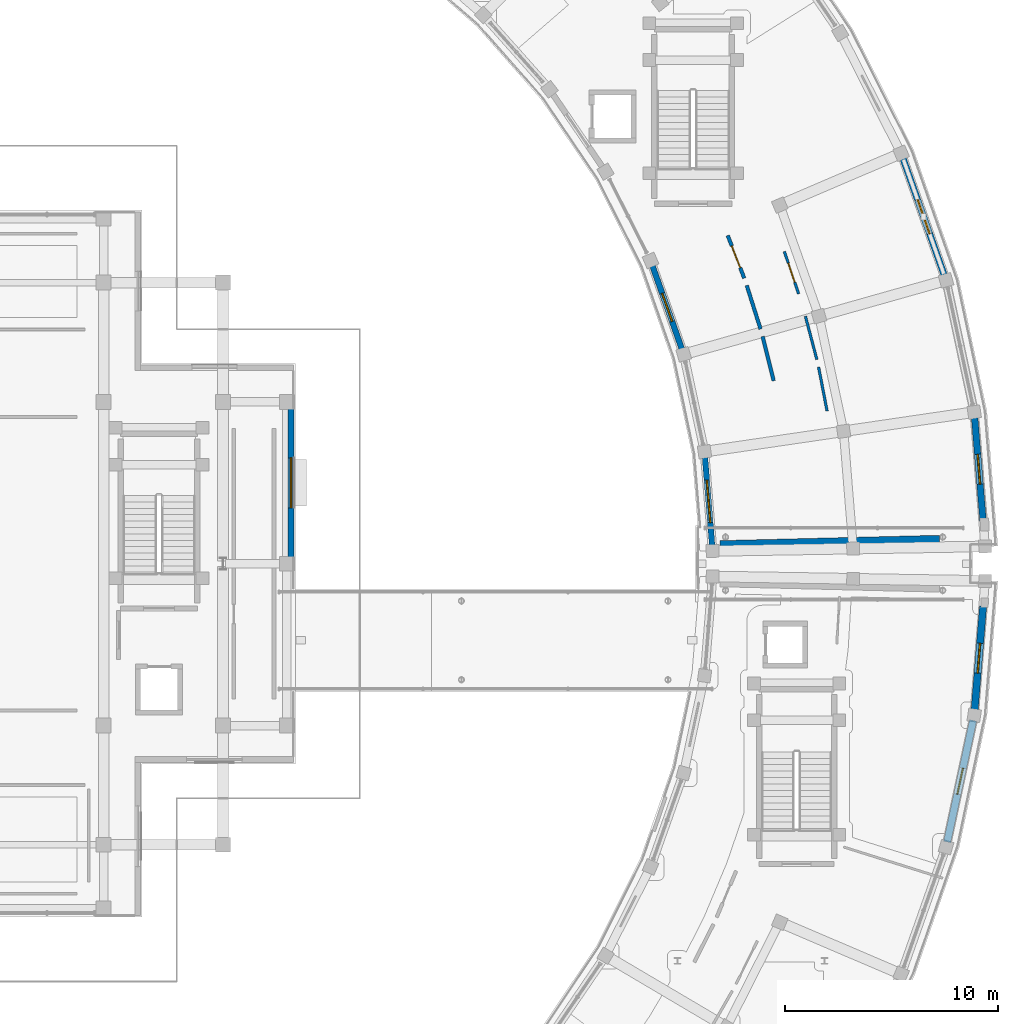
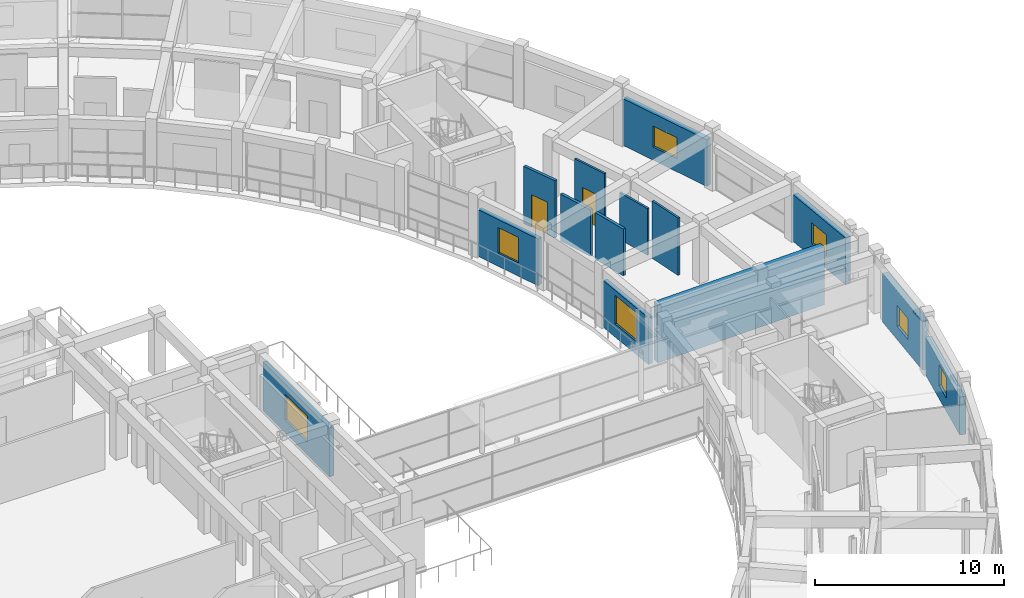
# One storey, part 37 of 53: 14 walls, 7 windows, 2 doors, 9 openings.
"""IFC4 building model written with IfcOpenShell, lengths in metres."""

from ifc_helpers import new_model, si_unit, direction, frame, frame_2d, origin, place, context, subcontext, project, spatial, rectangle, extrude, material, layer, layer_set, type_object, element, fill, save


model = new_model("IFC4")

# Units and contexts
model_context = context("Model", 3, precision=1e-05, world=origin(), true_north=direction((0.0, 1.0)))
body_context = subcontext(model_context, "Body", "Model", "MODEL_VIEW")
ifc_project = project(units=[si_unit("LENGTHUNIT", "METRE"), si_unit("AREAUNIT", "SQUARE_METRE"), si_unit("VOLUMEUNIT", "CUBIC_METRE"), si_unit("PLANEANGLEUNIT", "RADIAN"), si_unit("MASSUNIT", "GRAM", prefix="KILO")], contexts=[model_context])

# Site, building, storey
site_placement = place(None, origin())
site = spatial("IfcSite", under=ifc_project, at=site_placement, CompositionType="ELEMENT")
building_placement = place(site_placement, origin())
building = spatial("IfcBuilding", under=site, at=building_placement, Name="Saryqyr Civic Hall", CompositionType="ELEMENT")
storey_placement = place(building_placement, frame((0.0, 0.0, 21.300048828125)))
storey = spatial("IfcBuildingStorey", under=building, at=storey_placement, Name="L05", CompositionType="ELEMENT", Elevation=21.300048828125)

# Wall, opening, window
ifc_material_1 = material(Name="Precast concrete C40/50", Category="concrete")
ifc_layer_1 = layer(ifc_material_1, 0.27001953125, Name="Precast concrete C40/50")
ifc_layer_set_1 = layer_set([ifc_layer_1], Name="Precast concrete C40/50")
wall_type_1 = type_object("IfcWallType", Name="ENV-WAL-EXT-270", PredefinedType="STANDARD", material=ifc_layer_set_1)
wall_1_placement = place(storey_placement, frame((93.17578125, 84.835205078125, 0.0), z_axis=(0.0, 0.0, 1.0), x_axis=(-0.081074723481, 0.99670802606, 0.0)))
wall_1 = element("IfcWall", 1, at=wall_1_placement, inside=storey, type_object=wall_type_1, Name="Exterior wall V6-EWI-L05-00", PredefinedType="STANDARD", context=body_context, shape_type="SweptSolid", body=[
    extrude(rectangle(XDim=4.203857421875, YDim=0.27001953125, at=frame_2d((2.10205078125, 0.0))), origin(), (0.0, 0.0, 1.0), 3.014892578125),
])
opening_1_placement = place(wall_1_placement, frame((1.10205078125, 0.0, 0.85009765625)))
opening_1 = element("IfcOpeningElement", 2, at=opening_1_placement, cuts=wall_1, Name="Opening W-28", PredefinedType="OPENING", context=body_context, shape_type="SweptSolid", body=[
    extrude(rectangle(XDim=2.0, YDim=1.85009765625, at=frame_2d((1.0, 0.925048828125))), frame((0.0, 0.14501953125, 0.0), z_axis=(0.0, -1.0, 0.0), x_axis=(1.0, 0.0, 0.0)), (0.0, 0.0, 1.0), 0.2900390625),
])
ifc_material_2 = material(Name="Anodised aluminium and triple low-E glass", Category="aluminium")
window_type_1 = type_object("IfcWindowType", Name="ENV-WIN-W28", PartitioningType="SINGLE_PANEL", PredefinedType="WINDOW", material=ifc_material_2)
window_1_placement = place(opening_1_placement, origin())
window_1 = element("IfcWindow", 3, at=window_1_placement, inside=storey, type_object=window_type_1, Name="Courtyard window V6-L05-00", OverallHeight=1.85009765625, OverallWidth=2.0, PartitioningType="SINGLE_PANEL", PredefinedType="WINDOW", context=body_context, shape_type="SweptSolid", body=[
    extrude(rectangle(XDim=2.0, YDim=1.85009765625, at=frame_2d((1.0, 0.925048828125))), frame((0.0, 0.030029296875, 0.0), z_axis=(0.0, -1.0, 0.0), x_axis=(1.0, 0.0, 0.0)), (0.0, 0.0, 1.0), 0.06005859375),
])
fill(opening_1, window_1)

wall_2_placement = place(storey_placement, frame((91.756103515625, 94.067138671875, 0.0), z_axis=(0.0, 0.0, 1.0), x_axis=(-0.333168640656, 0.942867253055, 0.0)))
wall_2 = element("IfcWall", 4, at=wall_2_placement, inside=storey, type_object=wall_type_1, Name="Exterior wall V6-EWI-L05-02", PredefinedType="STANDARD", context=body_context, shape_type="SweptSolid", body=[
    extrude(rectangle(XDim=4.1767578125, YDim=0.27001953125, at=frame_2d((2.08837890625, 0.0))), origin(), (0.0, 0.0, 1.0), 3.014892578125),
])
opening_2_placement = place(wall_2_placement, frame((1.387939453125, 0.0, 0.85009765625)))
opening_2 = element("IfcOpeningElement", 5, at=opening_2_placement, cuts=wall_2, Name="Opening W-18", PredefinedType="OPENING", context=body_context, shape_type="SweptSolid", body=[
    extrude(rectangle(XDim=1.39990234375, YDim=1.64990234375, at=frame_2d((0.699951171875, 0.824951171875))), frame((0.0, 0.14501953125, 0.0), z_axis=(0.0, -1.0, 0.0), x_axis=(1.0, 0.0, 0.0)), (0.0, 0.0, 1.0), 0.2900390625),
])
window_type_2 = type_object("IfcWindowType", Name="ENV-WIN-W18", PartitioningType="SINGLE_PANEL", PredefinedType="WINDOW", material=ifc_material_2)
window_2_placement = place(opening_2_placement, origin())
window_2 = element("IfcWindow", 6, at=window_2_placement, inside=storey, type_object=window_type_2, Name="Courtyard window V6-L05-02", OverallHeight=1.64990234375, OverallWidth=1.39990234375, PartitioningType="SINGLE_PANEL", PredefinedType="WINDOW", context=body_context, shape_type="SweptSolid", body=[
    extrude(rectangle(XDim=1.39990234375, YDim=1.64990234375, at=frame_2d((0.699951171875, 0.824951171875))), frame((0.0, 0.030029296875, 0.0), z_axis=(0.0, -1.0, 0.0), x_axis=(1.0, 0.0, 0.0)), (0.0, 0.0, 1.0), 0.06005859375),
])
fill(opening_2, window_2)

wall_3_placement = place(storey_placement, frame((73.39990234375, 91.31494140625, 0.0), z_axis=(0.0, 0.0, 1.0), x_axis=(0.0, -1.0, 0.0)))
wall_3 = element("IfcWall", 7, at=wall_3_placement, inside=storey, type_object=wall_type_1, Name="Exterior wall V1-EW-L05-08", PredefinedType="STANDARD", context=body_context, shape_type="SweptSolid", body=[
    extrude(rectangle(XDim=7.030029296875, YDim=0.27001953125, at=frame_2d((3.51513671875, 0.0))), origin(), (0.0, 0.0, 1.0), 3.1650390625),
])
opening_3_placement = place(wall_3_placement, frame((2.340087890625, 0.0, 0.85009765625)))
opening_3 = element("IfcOpeningElement", 8, at=opening_3_placement, cuts=wall_3, Name="Opening W-22", PredefinedType="OPENING", context=body_context, shape_type="SweptSolid", body=[
    extrude(rectangle(XDim=2.35009765625, YDim=1.64990234375, at=frame_2d((1.175048828125, 0.824951171875))), frame((0.0, 0.14501953125, 0.0), z_axis=(0.0, -1.0, 0.0), x_axis=(1.0, 0.0, 0.0)), (0.0, 0.0, 1.0), 0.2900390625),
])
window_type_3 = type_object("IfcWindowType", Name="ENV-WIN-W22", PartitioningType="SINGLE_PANEL", PredefinedType="WINDOW", material=ifc_material_2)
window_3_placement = place(opening_3_placement, origin())
window_3 = element("IfcWindow", 9, at=window_3_placement, inside=storey, type_object=window_type_3, Name="Chamber cluster window L05-08", OverallHeight=1.64990234375, OverallWidth=2.35009765625, PartitioningType="SINGLE_PANEL", PredefinedType="WINDOW", context=body_context, shape_type="SweptSolid", body=[
    extrude(rectangle(XDim=2.35009765625, YDim=1.64990234375, at=frame_2d((1.175048828125, 0.824951171875))), frame((0.0, 0.030029296875, 0.0), z_axis=(0.0, -1.0, 0.0), x_axis=(1.0, 0.0, 0.0)), (0.0, 0.0, 1.0), 0.06005859375),
])
fill(opening_3, window_3)

ifc_layer_2 = layer(ifc_material_1, 0.31005859375, Name="Precast concrete C40/50")
ifc_layer_set_2 = layer_set([ifc_layer_2], Name="Precast concrete C40/50")
wall_type_2 = type_object("IfcWallType", Name="ENV-WAL-EXT-310", PredefinedType="STANDARD", material=ifc_layer_set_2)
wall_4_placement = place(storey_placement, frame((105.4990234375, 90.885009765625, 0.0), z_axis=(0.0, 0.0, 1.0), x_axis=(0.081149437974, -0.996701945777, 0.0)))
wall_4 = element("IfcWall", 10, at=wall_4_placement, inside=storey, type_object=wall_type_2, Name="Exterior wall V6-EWO-L05-00", PredefinedType="STANDARD", context=body_context, shape_type="SweptSolid", body=[
    extrude(rectangle(XDim=4.912841796875, YDim=0.31005859375, at=frame_2d((2.45654296875, 0.0))), origin(), (0.0, 0.0, 1.0), 3.014892578125),
])
opening_4_placement = place(wall_4_placement, frame((1.756103515625, 0.0, 0.85009765625)))
opening_4 = element("IfcOpeningElement", 11, at=opening_4_placement, cuts=wall_4, Name="Opening W-03", PredefinedType="OPENING", context=body_context, shape_type="SweptSolid", body=[
    extrude(rectangle(XDim=1.39990234375, YDim=1.35009765625, at=frame_2d((0.699951171875, 0.675048828125))), frame((0.0, 0.1650390625, 0.0), z_axis=(0.0, -1.0, 0.0), x_axis=(1.0, 0.0, 0.0)), (0.0, 0.0, 1.0), 0.330078125),
])
window_type_4 = type_object("IfcWindowType", Name="ENV-WIN-W03", PartitioningType="SINGLE_PANEL", PredefinedType="WINDOW", material=ifc_material_2)
window_4_placement = place(opening_4_placement, origin())
window_4 = element("IfcWindow", 12, at=window_4_placement, inside=storey, type_object=window_type_4, Name="Exterior ribbon window V6-L05-00", OverallHeight=1.35009765625, OverallWidth=1.39990234375, PartitioningType="SINGLE_PANEL", PredefinedType="WINDOW", context=body_context, shape_type="SweptSolid", body=[
    extrude(rectangle(XDim=1.39990234375, YDim=1.35009765625, at=frame_2d((0.699951171875, 0.675048828125))), frame((0.0, 0.030029296875, 0.0), z_axis=(0.0, -1.0, 0.0), x_axis=(1.0, 0.0, 0.0)), (0.0, 0.0, 1.0), 0.06005859375),
])
fill(opening_4, window_4)

wall_5_placement = place(storey_placement, frame((102.13232421875, 103.04052734375, 0.0), z_axis=(0.0, 0.0, 1.0), x_axis=(0.333212182882, -0.942851865978, 0.0)))
wall_5 = element("IfcWall", 13, at=wall_5_placement, inside=storey, type_object=wall_type_2, Name="Exterior wall V6-EWO-L05-02", PredefinedType="STANDARD", context=body_context, shape_type="SweptSolid", body=[
    extrude(rectangle(XDim=5.830078125, YDim=0.31005859375, at=frame_2d((2.9150390625, 0.0))), origin(), (0.0, 0.0, 1.0), 3.014892578125),
])
opening_5_placement = place(wall_5_placement, frame((2.06494140625, 0.0, 0.85009765625)))
opening_5 = element("IfcOpeningElement", 14, at=opening_5_placement, cuts=wall_5, Name="Opening W-05", PredefinedType="OPENING", context=body_context, shape_type="SweptSolid", body=[
    extrude(rectangle(XDim=1.699951171875, YDim=1.35009765625, at=frame_2d((0.85009765625, 0.675048828125))), frame((0.0, 0.1650390625, 0.0), z_axis=(0.0, -1.0, 0.0), x_axis=(1.0, 0.0, 0.0)), (0.0, 0.0, 1.0), 0.330078125),
])
window_type_5 = type_object("IfcWindowType", Name="ENV-WIN-W05", PartitioningType="SINGLE_PANEL", PredefinedType="WINDOW", material=ifc_material_2)
window_5_placement = place(opening_5_placement, origin())
window_5 = element("IfcWindow", 15, at=window_5_placement, inside=storey, type_object=window_type_5, Name="Exterior ribbon window V6-L05-02", OverallHeight=1.35009765625, OverallWidth=1.699951171875, PartitioningType="SINGLE_PANEL", PredefinedType="WINDOW", context=body_context, shape_type="SweptSolid", body=[
    extrude(rectangle(XDim=1.699951171875, YDim=1.35009765625, at=frame_2d((0.85009765625, 0.675048828125))), frame((0.0, 0.030029296875, 0.0), z_axis=(0.0, -1.0, 0.0), x_axis=(1.0, 0.0, 0.0)), (0.0, 0.0, 1.0), 0.06005859375),
])
fill(opening_5, window_5)

ifc_layer_3 = layer(ifc_material_1, 0.340087890625, Name="Precast concrete C40/50")
ifc_layer_set_3 = layer_set([ifc_layer_3], Name="Precast concrete C40/50")
wall_type_3 = type_object("IfcWallType", Name="ENV-WAL-EXT-340", PredefinedType="STANDARD", material=ifc_layer_set_3)
wall_6_placement = place(storey_placement, frame((105.4296875, 76.64501953125, 0.0), z_axis=(0.0, 0.0, 1.0), x_axis=(-0.208873267346, -0.977942717233, 0.0)))
wall_6 = element("IfcWall", 16, at=wall_6_placement, inside=storey, type_object=wall_type_3, Name="Exterior wall V5-EWO-L05-08", PredefinedType="STANDARD", context=body_context, shape_type="SweptSolid", body=[
    extrude(rectangle(XDim=5.84765625, YDim=0.340087890625, at=frame_2d((2.923828125, 0.0))), origin(), (0.0, 0.0, 1.0), 2.449951171875),
])
opening_6_placement = place(wall_6_placement, frame((2.299072265625, 0.0, 0.85009765625)))
opening_6 = element("IfcOpeningElement", 17, at=opening_6_placement, cuts=wall_6, Name="Opening W-02", PredefinedType="OPENING", context=body_context, shape_type="SweptSolid", body=[
    extrude(rectangle(XDim=1.25, YDim=1.35009765625, at=frame_2d((0.625, 0.675048828125))), frame((0.0, 0.179931640625, 0.0), z_axis=(0.0, -1.0, 0.0), x_axis=(1.0, 0.0, 0.0)), (0.0, 0.0, 1.0), 0.360107421875),
])
window_type_6 = type_object("IfcWindowType", Name="ENV-WIN-W02", PartitioningType="SINGLE_PANEL", PredefinedType="WINDOW", material=ifc_material_2)
window_6_placement = place(opening_6_placement, origin())
window_6 = element("IfcWindow", 18, at=window_6_placement, inside=storey, type_object=window_type_6, Name="Exterior ribbon window V5-L05-08", OverallHeight=1.35009765625, OverallWidth=1.25, PartitioningType="SINGLE_PANEL", PredefinedType="WINDOW", context=body_context, shape_type="SweptSolid", body=[
    extrude(rectangle(XDim=1.25, YDim=1.35009765625, at=frame_2d((0.625, 0.675048828125))), frame((0.0, 0.030029296875, 0.0), z_axis=(0.0, -1.0, 0.0), x_axis=(1.0, 0.0, 0.0)), (0.0, 0.0, 1.0), 0.06005859375),
])
fill(opening_6, window_6)

wall_7_placement = place(storey_placement, frame((105.897705078125, 82.01171875, 0.0), z_axis=(0.0, 0.0, 1.0), x_axis=(-0.081149437974, -0.996701945777, 0.0)))
wall_7 = element("IfcWall", 19, at=wall_7_placement, inside=storey, type_object=wall_type_3, Name="Exterior wall V5-EWO-L05-09", PredefinedType="STANDARD", context=body_context, shape_type="SweptSolid", body=[
    extrude(rectangle(XDim=4.912841796875, YDim=0.340087890625, at=frame_2d((2.45654296875, 0.0))), origin(), (0.0, 0.0, 1.0), 3.155029296875),
])
opening_7_placement = place(wall_7_placement, frame((1.756103515625, 0.0, 0.85009765625)))
opening_7 = element("IfcOpeningElement", 20, at=opening_7_placement, cuts=wall_7, Name="Opening W-03", PredefinedType="OPENING", context=body_context, shape_type="SweptSolid", body=[
    extrude(rectangle(XDim=1.39990234375, YDim=1.35009765625, at=frame_2d((0.699951171875, 0.675048828125))), frame((0.0, 0.179931640625, 0.0), z_axis=(0.0, -1.0, 0.0), x_axis=(1.0, 0.0, 0.0)), (0.0, 0.0, 1.0), 0.360107421875),
])
window_7_placement = place(opening_7_placement, origin())
window_7 = element("IfcWindow", 21, at=window_7_placement, inside=storey, type_object=window_type_4, Name="Exterior ribbon window V5-L05-09", OverallHeight=1.35009765625, OverallWidth=1.39990234375, PartitioningType="SINGLE_PANEL", PredefinedType="WINDOW", context=body_context, shape_type="SweptSolid", body=[
    extrude(rectangle(XDim=1.39990234375, YDim=1.35009765625, at=frame_2d((0.699951171875, 0.675048828125))), frame((0.0, 0.030029296875, 0.0), z_axis=(0.0, -1.0, 0.0), x_axis=(1.0, 0.0, 0.0)), (0.0, 0.0, 1.0), 0.06005859375),
])
fill(opening_7, window_7)

# Walls
ifc_material_3 = material(Name="Concrete C40/50", Category="concrete")
ifc_layer_4 = layer(ifc_material_3, 0.3798828125, Name="Concrete C40/50")
ifc_layer_set_4 = layer_set([ifc_layer_4], Name="Concrete C40/50")
wall_type_4 = type_object("IfcWallType", Name="ENV-WAL-PTY-380", PredefinedType="SHEAR", material=ifc_layer_set_4)
wall_8_placement = place(storey_placement, frame((103.85009765625, 85.14501953125, 0.0), z_axis=(0.0, 0.0, 1.0), x_axis=(-0.999701591947, -0.024427997417, 0.0)))
element("IfcWall", 22, at=wall_8_placement, inside=storey, type_object=wall_type_4, Name="Exterior wall V6-JNTW-A-L05", PredefinedType="SHEAR", context=body_context, shape_type="SweptSolid", body=[
    extrude(rectangle(XDim=10.314208984375, YDim=0.3798828125, at=frame_2d((5.1572265625, 0.0))), origin(), (0.0, 0.0, 1.0), 3.75),
])
ifc_material_4 = material(Name="Metal-stud gypsum board partition", Category="gypsum")
ifc_layer_5 = layer(ifc_material_4, 0.125, Name="Metal-stud gypsum board partition")
ifc_layer_set_5 = layer_set([ifc_layer_5], Name="Metal-stud gypsum board partition")
wall_type_5 = type_object("IfcWallType", Name="INT-WAL-PRT-125", PredefinedType="PARTITIONING", material=ifc_layer_set_5)
wall_9_placement = place(storey_placement, frame((98.091064453125, 93.585693359375, 0.0), z_axis=(0.0, 0.0, 1.0), x_axis=(-0.255630783162, 0.96677448389, 0.0)))
element("IfcWall", 23, at=wall_9_placement, inside=storey, type_object=wall_type_5, Name="Interior partition PRT-SP-V6-L05-R01-W1", PredefinedType="PARTITIONING", context=body_context, shape_type="SweptSolid", body=[
    extrude(rectangle(XDim=2.10205078125, YDim=0.125, at=frame_2d((1.051025390625, 0.0))), origin(), (0.0, 0.0, 1.0), 3.014892578125),
])

# Wall, opening, door
wall_10_placement = place(storey_placement, frame((97.2373046875, 96.670654296875, 0.0), z_axis=(0.0, 0.0, 1.0), x_axis=(-0.319884220621, 0.947456640379, 0.0)))
wall_10 = element("IfcWall", 24, at=wall_10_placement, inside=storey, type_object=wall_type_5, Name="Interior partition PRT-SP-V6-L05-R01-W2", PredefinedType="PARTITIONING", context=body_context, shape_type="SweptSolid", body=[
    extrude(rectangle(XDim=2.101806640625, YDim=0.125, at=frame_2d((1.05078125, 0.0))), origin(), (0.0, 0.0, 1.0), 3.699951171875),
])
opening_8_placement = place(wall_10_placement, frame((0.575927734375, 0.0, 0.0)))
opening_8 = element("IfcOpeningElement", 25, at=opening_8_placement, cuts=wall_10, Name="Opening D-02", PredefinedType="OPENING", context=body_context, shape_type="SweptSolid", body=[
    extrude(rectangle(XDim=0.949951171875, YDim=2.10009765625, at=frame_2d((0.47509765625, 1.050048828125))), frame((0.0, 0.072509765625, 0.0), z_axis=(0.0, -1.0, 0.0), x_axis=(1.0, 0.0, 0.0)), (0.0, 0.0, 1.0), 0.14501953125),
])
ifc_material_5 = material(Name="Acoustic solid-core oak veneer", Category="wood")
door_type_1 = type_object("IfcDoorType", Name="INT-DR-D-02", OperationType="NOTDEFINED", PredefinedType="DOOR", material=ifc_material_5)
door_1_placement = place(opening_8_placement, origin())
door_1 = element("IfcDoor", 26, at=door_1_placement, inside=storey, type_object=door_type_1, Name="Interior door Mayor's Suite & Ceremonial Working Study", OperationType="SINGLE_SWING_RIGHT", OverallHeight=2.10009765625, OverallWidth=0.949951171875, PredefinedType="DOOR", context=body_context, shape_type="SweptSolid", body=[
    extrude(rectangle(XDim=0.949951171875, YDim=2.10009765625, at=frame_2d((0.47509765625, 1.050048828125))), frame((0.0, 0.02490234375, 0.0), z_axis=(0.0, -1.0, 0.0), x_axis=(1.0, 0.0, 0.0)), (0.0, 0.0, 1.0), 0.050048828125),
])
fill(opening_8, door_1)

# Wall
wall_11_placement = place(storey_placement, frame((98.571044921875, 91.17138671875, 0.0), z_axis=(0.0, 0.0, 1.0), x_axis=(-0.19012663252, 0.981759575256, 0.0)))
element("IfcWall", 27, at=wall_11_placement, inside=storey, type_object=wall_type_5, Name="Interior partition PRT-SP-V6-L05-R01-W3", PredefinedType="PARTITIONING", context=body_context, shape_type="SweptSolid", body=[
    extrude(rectangle(XDim=2.10205078125, YDim=0.125, at=frame_2d((1.051025390625, 0.0))), origin(), (0.0, 0.0, 1.0), 3.699951171875),
])

# Wall, opening, door
ifc_material_6 = material(Name="Acoustic double-stud gypsum board", Category="gypsum")
ifc_layer_6 = layer(ifc_material_6, 0.169921875, Name="Acoustic double-stud gypsum board")
ifc_layer_set_6 = layer_set([ifc_layer_6], Name="Acoustic double-stud gypsum board")
wall_type_6 = type_object("IfcWallType", Name="INT-WAL-PRT-170", PredefinedType="PARTITIONING", material=ifc_layer_set_6)
wall_12_placement = place(storey_placement, frame((93.905517578125, 99.413330078125, 0.0), z_axis=(0.0, 0.0, 1.0), x_axis=(0.360439701149, -0.932782515829, 0.0)))
wall_12 = element("IfcWall", 28, at=wall_12_placement, inside=storey, type_object=wall_type_6, Name="Interior partition PRT-SP-V6-L05-R04-W1", PredefinedType="PARTITIONING", context=body_context, shape_type="SweptSolid", body=[
    extrude(rectangle(XDim=2.14990234375, YDim=0.169921875, at=frame_2d((1.074951171875, 0.0))), origin(), (0.0, 0.0, 1.0), 3.699951171875),
])
opening_9_placement = place(wall_12_placement, frame((0.52490234375, 0.0, 0.0)))
opening_9 = element("IfcOpeningElement", 29, at=opening_9_placement, cuts=wall_12, Name="Opening D-05", PredefinedType="OPENING", context=body_context, shape_type="SweptSolid", body=[
    extrude(rectangle(XDim=1.10009765625, YDim=2.10009765625, at=frame_2d((0.550048828125, 1.050048828125))), frame((0.0, 0.094970703125, 0.0), z_axis=(0.0, -1.0, 0.0), x_axis=(1.0, 0.0, 0.0)), (0.0, 0.0, 1.0), 0.18994140625),
])
door_type_2 = type_object("IfcDoorType", Name="INT-DR-D-05", OperationType="NOTDEFINED", PredefinedType="DOOR", material=ifc_material_5)
door_2_placement = place(opening_9_placement, origin())
door_2 = element("IfcDoor", 30, at=door_2_placement, inside=storey, type_object=door_type_2, Name="Interior door Executive Boardroom", OperationType="SINGLE_SWING_LEFT", OverallHeight=2.10009765625, OverallWidth=1.10009765625, PredefinedType="DOOR", context=body_context, shape_type="SweptSolid", body=[
    extrude(rectangle(XDim=1.10009765625, YDim=2.10009765625, at=frame_2d((0.550048828125, 1.050048828125))), frame((0.0, 0.02490234375, 0.0), z_axis=(0.0, -1.0, 0.0), x_axis=(1.0, 0.0, 0.0)), (0.0, 0.0, 1.0), 0.050048828125),
])
fill(opening_9, door_2)

# Walls
for number, where, z_axis, x_axis, name in (
    (31, (94.79931640625, 97.068359375, 0.0), (0.0, 0.0, 1.0), (0.301267233058, -0.953539749714, 0.0), "Interior partition PRT-SP-V6-L05-R04-W2"),
    (32, (95.544677734375, 94.671875, 0.0), (0.0, 0.0, 1.0), (0.240851961441, -0.970561864422, 0.0), "Interior partition PRT-SP-V6-L05-R04-W3"),
):
    element("IfcWall", number, at=place(storey_placement, frame(where, z_axis=z_axis, x_axis=x_axis)), inside=storey, type_object=wall_type_6, Name=name, PredefinedType="PARTITIONING", context=body_context, shape_type="SweptSolid", body=[
        extrude(rectangle(XDim=2.14990234375, YDim=0.169921875, at=frame_2d((1.074951171875, 0.0))), origin(), (0.0, 0.0, 1.0), 3.014892578125),
    ])

save(model, "model.ifc")
